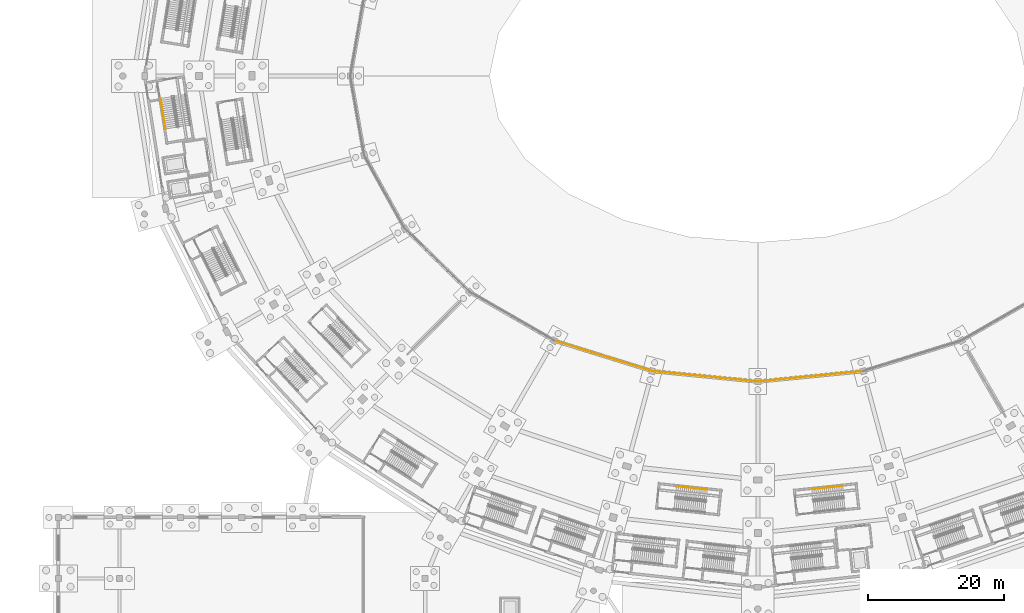
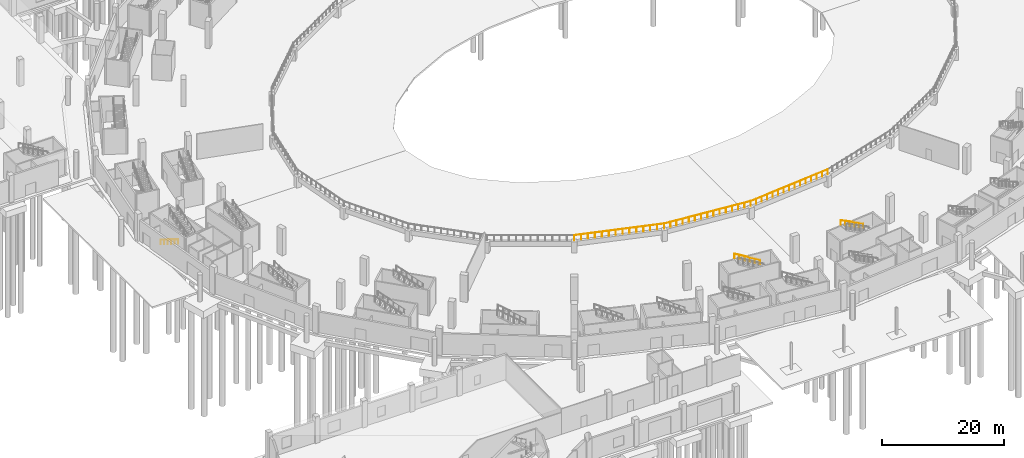
# One storey, part 64 of 103: 6 railings.
"""IFC4 building model written with IfcOpenShell, lengths in metres."""

from ifc_helpers import new_model, si_unit, direction, frame, origin, origin_2d, place, context, subcontext, project, spatial, circle, extrude, material, type_object, element, save


model = new_model("IFC4")

# Units and contexts
model_context = context("Model", 3, precision=1e-05, world=origin(), true_north=direction((0.0, 1.0)))
body_context = subcontext(model_context, "Body", "Model", "MODEL_VIEW")
ifc_project = project(units=[si_unit("LENGTHUNIT", "METRE"), si_unit("AREAUNIT", "SQUARE_METRE"), si_unit("VOLUMEUNIT", "CUBIC_METRE"), si_unit("PLANEANGLEUNIT", "RADIAN"), si_unit("MASSUNIT", "GRAM", prefix="KILO")], contexts=[model_context])

# Site, building, storey
site_placement = place(None, origin())
site = spatial("IfcSite", under=ifc_project, at=site_placement, CompositionType="ELEMENT")
building_placement = place(site_placement, origin())
building = spatial("IfcBuilding", under=site, at=building_placement, Name="Zevraka Park Crest Stadium", CompositionType="ELEMENT")
storey_placement = place(building_placement, origin())
storey = spatial("IfcBuildingStorey", under=building, at=storey_placement, Name="L00", CompositionType="ELEMENT", Elevation=0.0)

# Railings
ifc_material_1 = material(Name="Laminated glass and stainless steel sightline bowl guard", Category="steel")
railing_type_1 = type_object("IfcRailingType", Name="GR02", PredefinedType="GUARDRAIL", material=ifc_material_1)
railing_1_placement = place(storey_placement, frame((82.0, 53.029052734375, 2.199951171875)))
element("IfcRailing", 1, at=railing_1_placement, inside=storey, type_object=railing_type_1, Name="Lower Tier Pitch Sightline Guard GR02 16", PredefinedType="GUARDRAIL", context=body_context, shape_type="SweptSolid", body=[
    extrude(circle(Radius=0.02392578125, at=origin_2d()), frame((0.0, 0.0, 1.09619140625), z_axis=(0.954968624849, -0.296706800655, 0.0), x_axis=(0.296706800655, 0.954968624849, 0.0)), (0.0, 0.0, 1.0), 15.1533203125),
    extrude(circle(Radius=0.02099609375, at=origin_2d()), origin(), (0.0, 0.0, 1.0), 1.072021484375),
    extrude(circle(Radius=0.02099609375, at=origin_2d()), frame((1.113037109375, -0.345947265625, 0.0)), (0.0, 0.0, 1.0), 1.072021484375),
    extrude(circle(Radius=0.02099609375, at=origin_2d()), frame((2.226318359375, -0.691650390625, 0.0)), (0.0, 0.0, 1.0), 1.072021484375),
    extrude(circle(Radius=0.02099609375, at=origin_2d()), frame((3.33935546875, -1.03759765625, 0.0)), (0.0, 0.0, 1.0), 1.072021484375),
    extrude(circle(Radius=0.02099609375, at=origin_2d()), frame((4.45263671875, -1.38330078125, 0.0)), (0.0, 0.0, 1.0), 1.072021484375),
    extrude(circle(Radius=0.02099609375, at=origin_2d()), frame((5.565673828125, -1.729248046875, 0.0)), (0.0, 0.0, 1.0), 1.072021484375),
    extrude(circle(Radius=0.02099609375, at=origin_2d()), frame((6.678955078125, -2.0751953125, 0.0)), (0.0, 0.0, 1.0), 1.072021484375),
    extrude(circle(Radius=0.02099609375, at=origin_2d()), frame((7.7919921875, -2.4208984375, 0.0)), (0.0, 0.0, 1.0), 1.072021484375),
    extrude(circle(Radius=0.02099609375, at=origin_2d()), frame((8.9052734375, -2.766845703125, 0.0)), (0.0, 0.0, 1.0), 1.072021484375),
    extrude(circle(Radius=0.02099609375, at=origin_2d()), frame((10.018310546875, -3.11279296875, 0.0)), (0.0, 0.0, 1.0), 1.072021484375),
    extrude(circle(Radius=0.02099609375, at=origin_2d()), frame((11.131591796875, -3.45849609375, 0.0)), (0.0, 0.0, 1.0), 1.072021484375),
    extrude(circle(Radius=0.02099609375, at=origin_2d()), frame((12.24462890625, -3.804443359375, 0.0)), (0.0, 0.0, 1.0), 1.072021484375),
    extrude(circle(Radius=0.02099609375, at=origin_2d()), frame((13.35791015625, -4.150146484375, 0.0)), (0.0, 0.0, 1.0), 1.072021484375),
    extrude(circle(Radius=0.02099609375, at=origin_2d()), frame((14.470947265625, -4.49609375, 0.0)), (0.0, 0.0, 1.0), 1.072021484375),
])
railing_2_placement = place(storey_placement, frame((96.470947265625, 48.532958984375, 2.199951171875)))
element("IfcRailing", 2, at=railing_2_placement, inside=storey, type_object=railing_type_1, Name="Lower Tier Pitch Sightline Guard GR02 17", PredefinedType="GUARDRAIL", context=body_context, shape_type="SweptSolid", body=[
    extrude(circle(Radius=0.02392578125, at=origin_2d()), frame((0.0, 0.0, 1.09619140625), z_axis=(0.995162943473, -0.098238057479, 0.0), x_axis=(0.098238057479, 0.995162943473, 0.0)), (0.0, 0.0, 1.0), 15.6044921875),
    extrude(circle(Radius=0.02099609375, at=origin_2d()), origin(), (0.0, 0.0, 1.0), 1.072021484375),
    extrude(circle(Radius=0.02099609375, at=origin_2d()), frame((1.109130859375, -0.109375, 0.0)), (0.0, 0.0, 1.0), 1.072021484375),
    extrude(circle(Radius=0.02099609375, at=origin_2d()), frame((2.218505859375, -0.218994140625, 0.0)), (0.0, 0.0, 1.0), 1.072021484375),
    extrude(circle(Radius=0.02099609375, at=origin_2d()), frame((3.32763671875, -0.32861328125, 0.0)), (0.0, 0.0, 1.0), 1.072021484375),
    extrude(circle(Radius=0.02099609375, at=origin_2d()), frame((4.436767578125, -0.43798828125, 0.0)), (0.0, 0.0, 1.0), 1.072021484375),
    extrude(circle(Radius=0.02099609375, at=origin_2d()), frame((5.546142578125, -0.54736328125, 0.0)), (0.0, 0.0, 1.0), 1.072021484375),
    extrude(circle(Radius=0.02099609375, at=origin_2d()), frame((6.6552734375, -0.656982421875, 0.0)), (0.0, 0.0, 1.0), 1.072021484375),
    extrude(circle(Radius=0.02099609375, at=origin_2d()), frame((7.7646484375, -0.7666015625, 0.0)), (0.0, 0.0, 1.0), 1.072021484375),
    extrude(circle(Radius=0.02099609375, at=origin_2d()), frame((8.873779296875, -0.8759765625, 0.0)), (0.0, 0.0, 1.0), 1.072021484375),
    extrude(circle(Radius=0.02099609375, at=origin_2d()), frame((9.98291015625, -0.985595703125, 0.0)), (0.0, 0.0, 1.0), 1.072021484375),
    extrude(circle(Radius=0.02099609375, at=origin_2d()), frame((11.09228515625, -1.094970703125, 0.0)), (0.0, 0.0, 1.0), 1.072021484375),
    extrude(circle(Radius=0.02099609375, at=origin_2d()), frame((12.201416015625, -1.20458984375, 0.0)), (0.0, 0.0, 1.0), 1.072021484375),
    extrude(circle(Radius=0.02099609375, at=origin_2d()), frame((13.310546875, -1.31396484375, 0.0)), (0.0, 0.0, 1.0), 1.072021484375),
    extrude(circle(Radius=0.02099609375, at=origin_2d()), frame((14.419921875, -1.42333984375, 0.0)), (0.0, 0.0, 1.0), 1.072021484375),
    extrude(circle(Radius=0.02099609375, at=origin_2d()), frame((15.529052734375, -1.532958984375, 0.0)), (0.0, 0.0, 1.0), 1.072021484375),
])
railing_3_placement = place(storey_placement, frame((112.0, 47.0, 2.199951171875)))
element("IfcRailing", 3, at=railing_3_placement, inside=storey, type_object=railing_type_1, Name="Lower Tier Pitch Sightline Guard GR02 18", PredefinedType="GUARDRAIL", context=body_context, shape_type="SweptSolid", body=[
    extrude(circle(Radius=0.02392578125, at=origin_2d()), frame((0.0, 0.0, 1.09619140625), z_axis=(0.995162943473, 0.098238057479, 0.0), x_axis=(-0.098238057479, 0.995162943473, 0.0)), (0.0, 0.0, 1.0), 15.6044921875),
    extrude(circle(Radius=0.02099609375, at=origin_2d()), origin(), (0.0, 0.0, 1.0), 1.072021484375),
    extrude(circle(Radius=0.02099609375, at=origin_2d()), frame((1.109130859375, 0.109375, 0.0)), (0.0, 0.0, 1.0), 1.072021484375),
    extrude(circle(Radius=0.02099609375, at=origin_2d()), frame((2.218505859375, 0.218994140625, 0.0)), (0.0, 0.0, 1.0), 1.072021484375),
    extrude(circle(Radius=0.02099609375, at=origin_2d()), frame((3.32763671875, 0.32861328125, 0.0)), (0.0, 0.0, 1.0), 1.072021484375),
    extrude(circle(Radius=0.02099609375, at=origin_2d()), frame((4.436767578125, 0.43798828125, 0.0)), (0.0, 0.0, 1.0), 1.072021484375),
    extrude(circle(Radius=0.02099609375, at=origin_2d()), frame((5.546142578125, 0.54736328125, 0.0)), (0.0, 0.0, 1.0), 1.072021484375),
    extrude(circle(Radius=0.02099609375, at=origin_2d()), frame((6.6552734375, 0.656982421875, 0.0)), (0.0, 0.0, 1.0), 1.072021484375),
    extrude(circle(Radius=0.02099609375, at=origin_2d()), frame((7.7646484375, 0.7666015625, 0.0)), (0.0, 0.0, 1.0), 1.072021484375),
    extrude(circle(Radius=0.02099609375, at=origin_2d()), frame((8.873779296875, 0.8759765625, 0.0)), (0.0, 0.0, 1.0), 1.072021484375),
    extrude(circle(Radius=0.02099609375, at=origin_2d()), frame((9.98291015625, 0.985595703125, 0.0)), (0.0, 0.0, 1.0), 1.072021484375),
    extrude(circle(Radius=0.02099609375, at=origin_2d()), frame((11.09228515625, 1.094970703125, 0.0)), (0.0, 0.0, 1.0), 1.072021484375),
    extrude(circle(Radius=0.02099609375, at=origin_2d()), frame((12.201416015625, 1.20458984375, 0.0)), (0.0, 0.0, 1.0), 1.072021484375),
    extrude(circle(Radius=0.02099609375, at=origin_2d()), frame((13.310546875, 1.31396484375, 0.0)), (0.0, 0.0, 1.0), 1.072021484375),
    extrude(circle(Radius=0.02099609375, at=origin_2d()), frame((14.419921875, 1.42333984375, 0.0)), (0.0, 0.0, 1.0), 1.072021484375),
    extrude(circle(Radius=0.02099609375, at=origin_2d()), frame((15.529052734375, 1.532958984375, 0.0)), (0.0, 0.0, 1.0), 1.072021484375),
])
ifc_material_2 = material(Name="Brushed stainless steel continuous handrail", Category="steel")
railing_type_2 = type_object("IfcRailingType", Name="HR01", PredefinedType="HANDRAIL", material=ifc_material_2)
railing_4_placement = place(storey_placement, frame((24.074462890625, 88.69287109375, 0.168701171875)))
element("IfcRailing", 4, at=railing_4_placement, inside=storey, type_object=railing_type_2, Name="L00 ST13 stair handrail 1", PredefinedType="HANDRAIL", context=body_context, shape_type="SweptSolid", body=[
    extrude(circle(Radius=0.02392578125, at=origin_2d()), frame((0.0, 0.0, 0.8759765625), z_axis=(0.137606314293, -0.864113489075, 0.484120212619), x_axis=(0.987556583672, 0.157264090137, 0.0)), (0.0, 0.0, 1.0), 5.228515625),
    extrude(circle(Radius=0.02099609375, at=origin_2d()), origin(), (0.0, 0.0, 1.0), 0.851806640625),
    extrude(circle(Radius=0.02099609375, at=origin_2d()), frame((0.143798828125, -0.903564453125, 0.50634765625)), (0.0, 0.0, 1.0), 0.851806640625),
    extrude(circle(Radius=0.02099609375, at=origin_2d()), frame((0.287841796875, -1.80712890625, 1.012451171875)), (0.0, 0.0, 1.0), 0.851806640625),
    extrude(circle(Radius=0.02099609375, at=origin_2d()), frame((0.431640625, -2.7109375, 1.518798828125)), (0.0, 0.0, 1.0), 0.851806640625),
    extrude(circle(Radius=0.02099609375, at=origin_2d()), frame((0.57568359375, -3.614501953125, 2.02490234375)), (0.0, 0.0, 1.0), 0.851806640625),
    extrude(circle(Radius=0.02099609375, at=origin_2d()), frame((0.719482421875, -4.51806640625, 2.53125)), (0.0, 0.0, 1.0), 0.851806640625),
])
railing_5_placement = place(storey_placement, frame((104.5673828125, 31.080322265625, 2.86865234375)))
element("IfcRailing", 5, at=railing_5_placement, inside=storey, type_object=railing_type_2, Name="L00 ST41 stair handrail 2", PredefinedType="HANDRAIL", context=body_context, shape_type="SweptSolid", body=[
    extrude(circle(Radius=0.02392578125, at=origin_2d()), frame((0.0, 0.0, 0.8759765625), z_axis=(-0.870077609202, 0.092597214568, 0.484139143037), x_axis=(-0.105826473807, -0.994384612432, 0.0)), (0.0, 0.0, 1.0), 5.228271484375),
    extrude(circle(Radius=0.02099609375, at=origin_2d()), origin(), (0.0, 0.0, 1.0), 0.851806640625),
    extrude(circle(Radius=0.02099609375, at=origin_2d()), frame((-0.909912109375, 0.096923828125, 0.50634765625)), (0.0, 0.0, 1.0), 0.851806640625),
    extrude(circle(Radius=0.02099609375, at=origin_2d()), frame((-1.819580078125, 0.193603515625, 1.012451171875)), (0.0, 0.0, 1.0), 0.851806640625),
    extrude(circle(Radius=0.02099609375, at=origin_2d()), frame((-2.7294921875, 0.29052734375, 1.518798828125)), (0.0, 0.0, 1.0), 0.851806640625),
    extrude(circle(Radius=0.02099609375, at=origin_2d()), frame((-3.63916015625, 0.38720703125, 2.02490234375)), (0.0, 0.0, 1.0), 0.851806640625),
    extrude(circle(Radius=0.02099609375, at=origin_2d()), frame((-4.549072265625, 0.484130859375, 2.53125)), (0.0, 0.0, 1.0), 0.851806640625),
])
railing_6_placement = place(storey_placement, frame((124.503662109375, 31.620361328125, 2.86865234375)))
element("IfcRailing", 6, at=railing_6_placement, inside=storey, type_object=railing_type_2, Name="L00 ST42 stair handrail 2", PredefinedType="HANDRAIL", context=body_context, shape_type="SweptSolid", body=[
    extrude(circle(Radius=0.02392578125, at=origin_2d()), frame((0.0, 0.0, 0.8759765625), z_axis=(-0.870088953885, -0.09259345259, 0.484119473751), x_axis=(0.105820858191, -0.994385210053, 0.0)), (0.0, 0.0, 1.0), 5.228515625),
    extrude(circle(Radius=0.02099609375, at=origin_2d()), origin(), (0.0, 0.0, 1.0), 0.851806640625),
    extrude(circle(Radius=0.02099609375, at=origin_2d()), frame((-0.909912109375, -0.096923828125, 0.50634765625)), (0.0, 0.0, 1.0), 0.851806640625),
    extrude(circle(Radius=0.02099609375, at=origin_2d()), frame((-1.81982421875, -0.193603515625, 1.012451171875)), (0.0, 0.0, 1.0), 0.851806640625),
    extrude(circle(Radius=0.02099609375, at=origin_2d()), frame((-2.7294921875, -0.29052734375, 1.518798828125)), (0.0, 0.0, 1.0), 0.851806640625),
    extrude(circle(Radius=0.02099609375, at=origin_2d()), frame((-3.639404296875, -0.38720703125, 2.02490234375)), (0.0, 0.0, 1.0), 0.851806640625),
    extrude(circle(Radius=0.02099609375, at=origin_2d()), frame((-4.54931640625, -0.484130859375, 2.53125)), (0.0, 0.0, 1.0), 0.851806640625),
])

save(model, "model.ifc")
